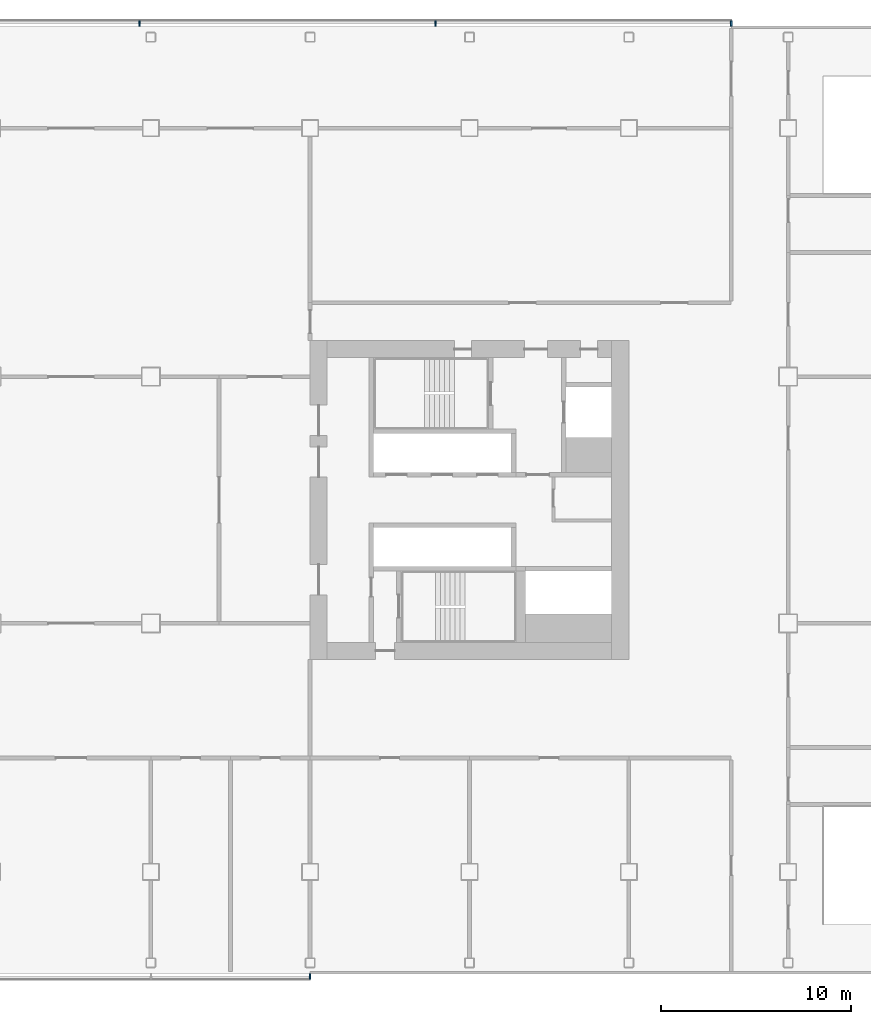
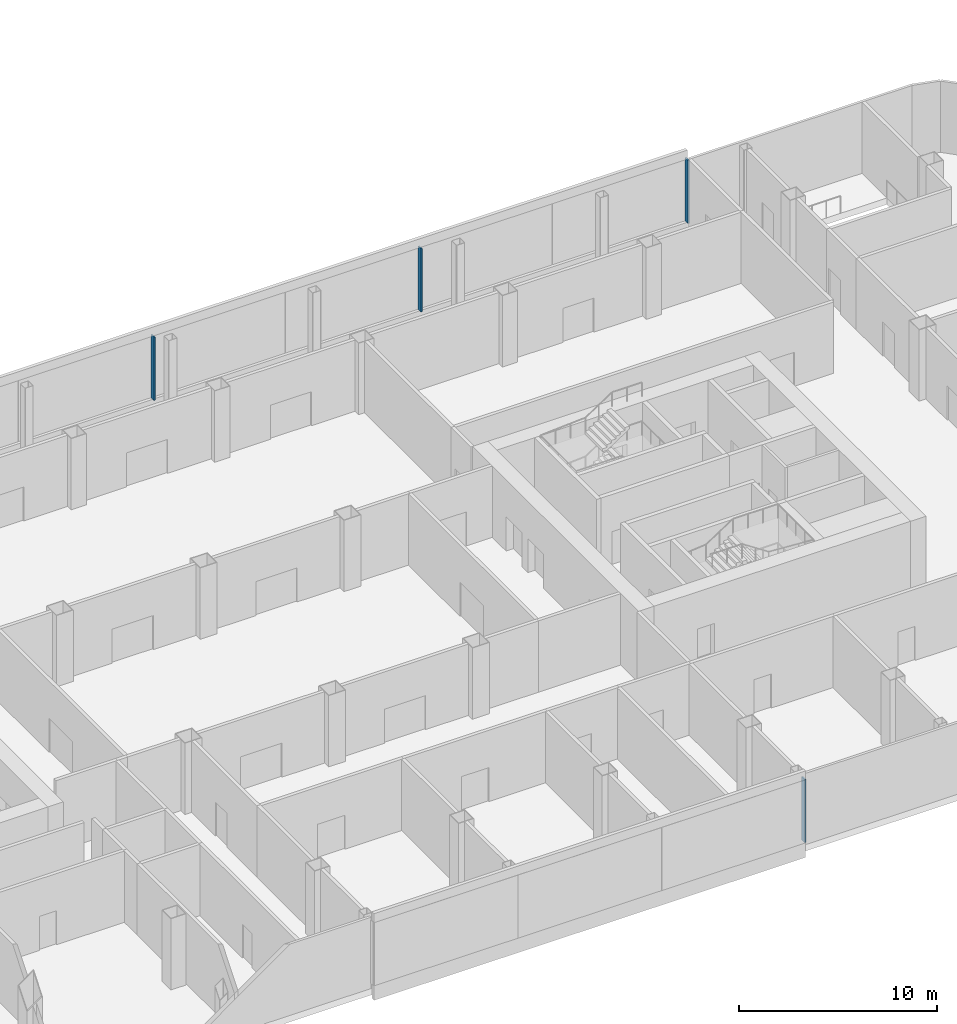
# One storey, part 9 of 53: 4 members, 2 elements without a shape of their own.
"""IFC4 building model written with IfcOpenShell, lengths in metres."""

import ifcopenshell
import ifcopenshell.guid

model = None  # the IFC model being written
_history = None  # IfcOwnerHistory: only IFC2X3 demands one
_inside = {}  # id of a spatial element -> (the spatial element, [elements in it])
_under = {}  # id of a project, library or spatial element -> (it, [spatial elements below it])
_declared = {}  # id of a project -> (the project, [libraries it declares])
_typed = {}  # id of a type object -> (the type object, [elements of that type])
_made_of = {}  # id of a material, layer set ... -> (it, [elements and type objects made of it])


def new_model(schema):
    """Start an empty IFC model of exactly this schema.

    Asked for "IFC4X3", IfcOpenShell would pick the latest addendum, in which some entities
    have other attributes; the version numbers below select the first issue.
    IFC2X3 requires an IfcOwnerHistory on every rooted entity: one is made here for all.
    """
    global model, _history
    if schema == "IFC4X3":
        model = ifcopenshell.file(schema_version=(4, 3, 0, 0))
    else:
        model = ifcopenshell.file(schema=schema)
    _inside.clear()
    _under.clear()
    _declared.clear()
    _typed.clear()
    _made_of.clear()
    _history = None
    if model.schema == "IFC2X3":
        org = make("IfcOrganization", Name="unknown")
        user = make(
            "IfcPersonAndOrganization",
            ThePerson=make("IfcPerson", FamilyName="unknown"),
            TheOrganization=org,
        )
        app = make(
            "IfcApplication",
            ApplicationDeveloper=org,
            Version="unknown",
            ApplicationFullName="unknown",
            ApplicationIdentifier="unknown",
        )
        _history = make(
            "IfcOwnerHistory",
            OwningUser=user,
            OwningApplication=app,
            ChangeAction="ADDED",
            CreationDate=0,
        )
    return model


def make(cls, **values):
    """One entity of the class cls with the attributes given. An attribute that is None is left unset."""
    return model.create_entity(
        cls, **{name: value for name, value in values.items() if value is not None}
    )


def rooted(cls, **values):
    """An entity with a GlobalId (a new one), such as an element, a storey or a relation."""
    return make(cls, GlobalId=ifcopenshell.guid.new(), OwnerHistory=_history, **values)


def si_unit(unit_type, name, prefix=None):
    """IfcSIUnit, for example si_unit("LENGTHUNIT", "METRE", prefix="MILLI")."""
    return make("IfcSIUnit", UnitType=unit_type, Prefix=prefix, Name=name)


def assignment(units):
    """IfcUnitAssignment: the units of a project."""
    return None if units is None else make("IfcUnitAssignment", Units=units)


def point(xyz):
    """IfcCartesianPoint."""
    return None if xyz is None else make("IfcCartesianPoint", Coordinates=xyz)


def direction(xyz):
    """IfcDirection."""
    return None if xyz is None else make("IfcDirection", DirectionRatios=xyz)


def frame(location, z_axis=None, x_axis=None):
    """IfcAxis2Placement3D, a coordinate frame: its origin and axes. An axis left out is left unset."""
    return make(
        "IfcAxis2Placement3D",
        Location=point(location),
        Axis=direction(z_axis),
        RefDirection=direction(x_axis),
    )


def frame_2d(location, x_axis=None):
    """IfcAxis2Placement2D, a coordinate frame in the plane: its origin and x axis."""
    return make(
        "IfcAxis2Placement2D", Location=point(location), RefDirection=direction(x_axis)
    )


def origin():
    """The frame at (0, 0, 0) with its axes left unset."""
    return frame((0.0, 0.0, 0.0))


def origin_2d():
    """The frame at (0, 0) in the plane with its x axis left unset."""
    return frame_2d((0.0, 0.0))


def place(relative_to, where):
    """IfcLocalPlacement: puts the frame where relative to a parent placement (None: the world)."""
    return make(
        "IfcLocalPlacement", PlacementRelTo=relative_to, RelativePlacement=where
    )


def context(
    kind, dimensions, precision=None, world=None, true_north=None, identifier=None
):
    """IfcGeometricRepresentationContext, for example the 3D "Model" context."""
    return make(
        "IfcGeometricRepresentationContext",
        ContextIdentifier=identifier,
        ContextType=kind,
        CoordinateSpaceDimension=dimensions,
        Precision=precision,
        WorldCoordinateSystem=world,
        TrueNorth=true_north,
    )


def subcontext(parent, identifier, kind, view, scale=None):
    """IfcGeometricRepresentationSubContext, for example "Body" below "Model"."""
    return make(
        "IfcGeometricRepresentationSubContext",
        ContextIdentifier=identifier,
        ContextType=kind,
        ParentContext=parent,
        TargetScale=scale,
        TargetView=view,
    )


def project(units=None, contexts=None):
    """IfcProject with its units and contexts."""
    return rooted(
        "IfcProject",
        Name="project",
        RepresentationContexts=contexts,
        UnitsInContext=assignment(units),
    )


def spatial(cls, under=None, at=None, **own):
    """A site, building, storey or space (cls), placed at a placement, below another one or the project."""
    s = rooted(cls, ObjectPlacement=at, **own)
    if under is not None:
        _under.setdefault(under.id(), (under, []))[1].append(s)
    return s


def profile(cls, at=None, kind="AREA", **sizes):
    """A parametric profile (cls). Its sizes go by their IFC names, for example OverallWidth=200.0."""
    return make(cls, ProfileType=kind, Position=at, **sizes)


def rectangle(**sizes):
    """IfcRectangleProfileDef."""
    return profile("IfcRectangleProfileDef", **sizes)


def extrude(swept, where, along, depth):
    """IfcExtrudedAreaSolid: the profile swept, set in the frame where, extruded along a direction by depth."""
    return make(
        "IfcExtrudedAreaSolid",
        SweptArea=swept,
        Position=where,
        ExtrudedDirection=direction(along),
        Depth=depth,
    )


def shape(context_of_items, identifier, shape_type, items):
    """IfcShapeRepresentation: the items that make up one representation, for example the "Body"."""
    return make(
        "IfcShapeRepresentation",
        ContextOfItems=context_of_items,
        RepresentationIdentifier=identifier,
        RepresentationType=shape_type,
        Items=items,
    )


def material(Name=None, Category=None):
    """IfcMaterial."""
    return make("IfcMaterial", Name=Name, Category=Category)


def layer(
    of_material, thickness, ventilated=None, Name=None, Category=None, Priority=None
):
    """IfcMaterialLayer: one layer of a wall or slab, of a material (None: an air gap)."""
    return make(
        "IfcMaterialLayer",
        Material=of_material,
        LayerThickness=thickness,
        IsVentilated=ventilated,
        Name=Name,
        Category=Category,
        Priority=Priority,
    )


def layer_set(layers, Name=None):
    """IfcMaterialLayerSet."""
    return make("IfcMaterialLayerSet", MaterialLayers=layers, LayerSetName=Name)


def material_profile(
    of_material, cross_section, Name=None, Category=None, Priority=None
):
    """IfcMaterialProfile: a cross section and its material."""
    return make(
        "IfcMaterialProfile",
        Name=Name,
        Material=of_material,
        Profile=cross_section,
        Priority=Priority,
        Category=Category,
    )


def profile_set(profiles, Name=None, composite=None):
    """IfcMaterialProfileSet."""
    return make(
        "IfcMaterialProfileSet",
        Name=Name,
        MaterialProfiles=profiles,
        CompositeProfile=composite,
    )


def made_of(thing, what):
    """Note that an element or type object is made of a material, layer set ...; save() writes the relation."""
    if what is not None:
        _made_of.setdefault(what.id(), (what, []))[1].append(thing)
    return thing


def type_object(cls, material=None, **own):
    """A type object (cls), such as IfcWallType, which elements share."""
    return made_of(rooted(cls, **own), material)


def element(
    cls,
    number,
    at=None,
    inside=None,
    cuts=None,
    type_object=None,
    material=None,
    context=None,
    identifier="Body",
    shape_type=None,
    held_by="IfcProductDefinitionShape",
    body=None,
    shapes=None,
    **own,
):
    """One element of the class cls, such as IfcWall. Its Tag is "e" and its number.

    at: its placement. inside: the storey or other place that contains it. cuts: it is an
    opening in that element (IfcRelVoidsElement). A single representation is given by context,
    identifier, shape_type and body (its items); several are given by shapes. held_by: the class
    of the entity that holds the representations. save() writes the other relations.
    """
    e = rooted(cls, Tag="e%d" % number, ObjectPlacement=at, **own)
    if body is not None:
        shapes = [shape(context, identifier, shape_type, body)]
    if shapes is not None:
        e.Representation = make(held_by, Representations=shapes)
    if inside is not None:
        _inside.setdefault(inside.id(), (inside, []))[1].append(e)
    if cuts is not None:
        rooted(
            "IfcRelVoidsElement", RelatingBuildingElement=cuts, RelatedOpeningElement=e
        )
    if type_object is not None:
        _typed.setdefault(type_object.id(), (type_object, []))[1].append(e)
    return made_of(e, material)


def aggregate(whole, parts):
    """IfcRelAggregates: a whole, such as a stair, and the parts it consists of."""
    return rooted("IfcRelAggregates", RelatingObject=whole, RelatedObjects=parts)


def save(model, path):
    """Write the relations noted so far, then the file.

    IfcRelAggregates (storeys below a building ...), IfcRelContainedInSpatialStructure (elements
    in a storey), IfcRelDefinesByType, IfcRelAssociatesMaterial and IfcRelDeclares: one each for
    every whole, place, type object, material and project.
    """
    for whole, parts in _under.values():
        aggregate(whole, parts)
    for where, things in _inside.values():
        rooted(
            "IfcRelContainedInSpatialStructure",
            RelatedElements=things,
            RelatingStructure=where,
        )
    for kind, things in _typed.values():
        rooted("IfcRelDefinesByType", RelatedObjects=things, RelatingType=kind)
    for what, things in _made_of.values():
        rooted("IfcRelAssociatesMaterial", RelatedObjects=things, RelatingMaterial=what)
    for by, libraries in _declared.values():
        rooted("IfcRelDeclares", RelatingContext=by, RelatedDefinitions=libraries)
    model.write(path)


model = new_model("IFC4")

# Units and contexts
model_context = context("Model", 3, precision=1e-05, world=origin(), true_north=direction((0.0, 1.0)))
body_context = subcontext(model_context, "Body", "Model", "MODEL_VIEW")
ifc_project = project(units=[si_unit("LENGTHUNIT", "METRE"), si_unit("AREAUNIT", "SQUARE_METRE"), si_unit("VOLUMEUNIT", "CUBIC_METRE"), si_unit("PLANEANGLEUNIT", "RADIAN"), si_unit("MASSUNIT", "GRAM", prefix="KILO")], contexts=[model_context])

# Site, building, storey
site_placement = place(None, origin())
site = spatial("IfcSite", under=ifc_project, at=site_placement, CompositionType="ELEMENT")
building_placement = place(site_placement, origin())
building = spatial("IfcBuilding", under=site, at=building_placement, Name="Hakoniwa Tower and Hamabe Station Hall", CompositionType="ELEMENT")
storey_placement = place(building_placement, frame((0.0, 0.0, 15.0)))
storey = spatial("IfcBuildingStorey", under=building, at=storey_placement, Name="L03", CompositionType="ELEMENT", Elevation=15.0)

# Curtain wall, members
ifc_material_1 = material(Name="Dark low-e laminated glass", Category="glass")
ifc_layer = layer(ifc_material_1, 0.199951171875)
ifc_layer_set = layer_set([ifc_layer], Name="CW-3 PODIUM LOBBY")
curtain_wall_type = type_object("IfcCurtainWallType", Name="CW-3 PODIUM LOBBY", PredefinedType="NOTDEFINED", material=ifc_layer_set)
curtain_wall_1_placement = place(storey_placement, origin())
curtain_wall_1 = element("IfcCurtainWall", 1, at=curtain_wall_1_placement, inside=storey, type_object=curtain_wall_type, Name="Podium curtain wall L03 north 1", PredefinedType="NOTDEFINED")
ifc_material_2 = material(Name="Aluminium 6063-T5 black anodised", Category="aluminium")
ifc_material_profile = material_profile(ifc_material_2, rectangle(XDim=0.080078125, YDim=0.300048828125, at=origin_2d()), Name="CW-3 MULLION 80X300")
ifc_profile_set = profile_set([ifc_material_profile], Name="Aluminium 6063-T5 black anodised")
member_type = type_object("IfcMemberType", Name="CW-3 MULLION 80X300", PredefinedType="MULLION", material=ifc_profile_set)
member_1_placement = place(storey_placement, frame((39.0, 25.1220703125, 0.35009765625), z_axis=(0.0, 0.0, 1.0), x_axis=(-1.0, 0.0, 0.0)))
member_1 = element("IfcMember", 2, at=member_1_placement, type_object=member_type, Name="CW-3 mullion", PredefinedType="MULLION", context=body_context, shape_type="SweptSolid", body=[
    extrude(rectangle(XDim=0.080078125, YDim=0.300048828125, at=origin_2d()), origin(), (0.0, 0.0, 1.0), 3.89990234375),
])
member_2_placement = place(storey_placement, frame((23.39990234375, 25.1220703125, 0.35009765625), z_axis=(0.0, 0.0, 1.0), x_axis=(-1.0, 0.0, 0.0)))
member_2 = element("IfcMember", 3, at=member_2_placement, type_object=member_type, Name="CW-3 mullion", PredefinedType="MULLION", context=body_context, shape_type="SweptSolid", body=[
    extrude(rectangle(XDim=0.080078125, YDim=0.300048828125, at=origin_2d()), origin(), (0.0, 0.0, 1.0), 3.89990234375),
])
member_3_placement = place(storey_placement, frame((7.800048828125, 25.1220703125, 0.35009765625), z_axis=(0.0, 0.0, 1.0), x_axis=(-1.0, 0.0, 0.0)))
member_3 = element("IfcMember", 4, at=member_3_placement, type_object=member_type, Name="CW-3 mullion", PredefinedType="MULLION", context=body_context, shape_type="SweptSolid", body=[
    extrude(rectangle(XDim=0.080078125, YDim=0.300048828125, at=origin_2d()), origin(), (0.0, 0.0, 1.0), 3.89990234375),
])
aggregate(curtain_wall_1, [member_1, member_2, member_3])

# Curtain wall, member
curtain_wall_2_placement = place(storey_placement, origin())
curtain_wall_2 = element("IfcCurtainWall", 5, at=curtain_wall_2_placement, inside=storey, type_object=curtain_wall_type, Name="Podium curtain wall L03 south 2", PredefinedType="NOTDEFINED")
member_4_placement = place(storey_placement, frame((16.800048828125, -25.1220703125, 0.35009765625), z_axis=(0.0, 0.0, 1.0), x_axis=(1.0, 0.0, 0.0)))
member_4 = element("IfcMember", 6, at=member_4_placement, type_object=member_type, Name="CW-3 mullion", PredefinedType="MULLION", context=body_context, shape_type="SweptSolid", body=[
    extrude(rectangle(XDim=0.080078125, YDim=0.300048828125, at=origin_2d()), origin(), (0.0, 0.0, 1.0), 3.89990234375),
])
aggregate(curtain_wall_2, [member_4])

save(model, "model.ifc")
